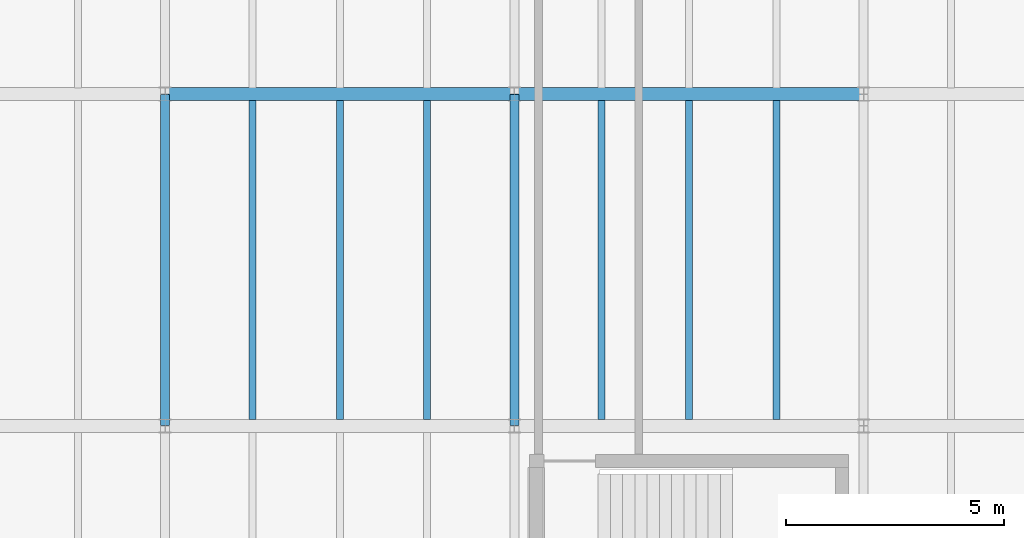
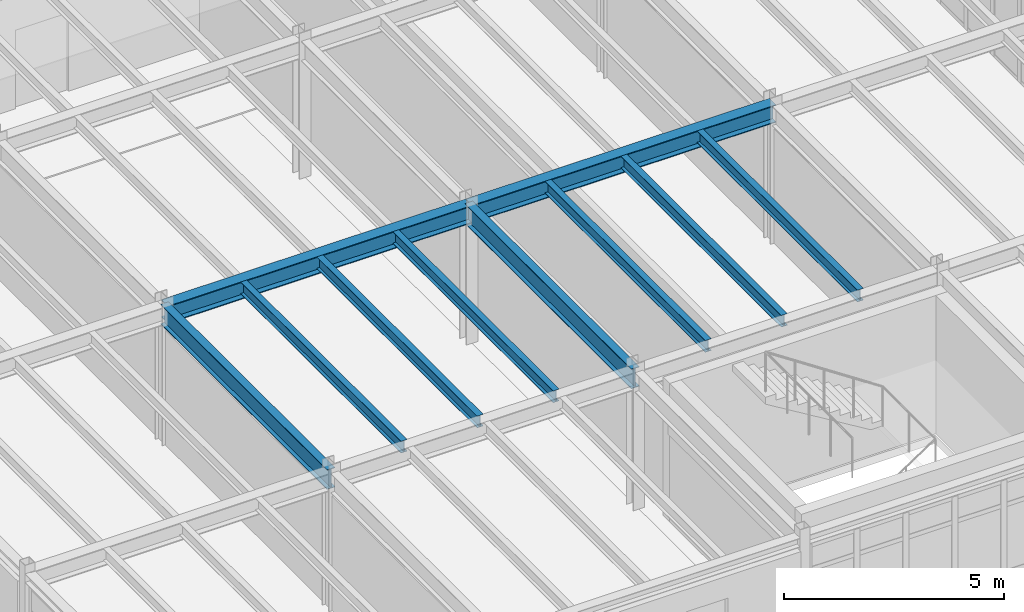
# One storey, part 114 of 189: 10 beams.
"""IFC4 building model written with IfcOpenShell, lengths in metres."""

from ifc_helpers import new_model, si_unit, direction, frame, origin, origin_2d, place, context, subcontext, project, spatial, i_section, extrude, material, material_profile, profile_set, type_object, element, save


model = new_model("IFC4")

# Units and contexts
model_context = context("Model", 3, precision=1e-05, world=origin(), true_north=direction((0.0, 1.0)))
body_context = subcontext(model_context, "Body", "Model", "MODEL_VIEW")
ifc_project = project(units=[si_unit("LENGTHUNIT", "METRE"), si_unit("AREAUNIT", "SQUARE_METRE"), si_unit("VOLUMEUNIT", "CUBIC_METRE"), si_unit("PLANEANGLEUNIT", "RADIAN"), si_unit("MASSUNIT", "GRAM", prefix="KILO")], contexts=[model_context])

# Site, building, storey
site_placement = place(None, origin())
site = spatial("IfcSite", under=ifc_project, at=site_placement, CompositionType="ELEMENT")
building_placement = place(site_placement, origin())
building = spatial("IfcBuilding", under=site, at=building_placement, Name="Montecoro Central Library", CompositionType="ELEMENT")
storey_placement = place(building_placement, frame((0.0, 0.0, 9.179931640625)))
storey = spatial("IfcBuildingStorey", under=building, at=storey_placement, Name="L02", CompositionType="ELEMENT", Elevation=9.179931640625)

# Beams
ifc_material_1 = material(Name="Steel S355J2", Category="steel")
ifc_material_profile_1 = material_profile(ifc_material_1, i_section(OverallWidth=0.300048828125, OverallDepth=0.489990234375, WebThickness=0.011962890625, FlangeThickness=0.02294921875, at=origin_2d()), Name="HEA 500")
ifc_profile_set_1 = profile_set([ifc_material_profile_1], Name="Steel S355J2")
beam_type_1 = type_object("IfcBeamType", Name="BM-G-HEA500", PredefinedType="USERDEFINED", material=ifc_profile_set_1)
for number, where, z_axis, x_axis, name in (
    (1, (149.0048828125, 20.199951171875, 3.580078125), (1.0, 0.0, 0.0), (0.0, 1.0, 0.0), "V6-L02-BX-1920-C"),
    (2, (157.0048828125, 20.199951171875, 3.580078125), (1.0, 0.0, 0.0), (0.0, 1.0, 0.0), "V6-L02-BX-2021-C"),
):
    element("IfcBeam", number, at=place(storey_placement, frame(where, z_axis=z_axis, x_axis=x_axis)), inside=storey, type_object=beam_type_1, Name=name, ObjectType="GIRDER", PredefinedType="USERDEFINED", context=body_context, shape_type="SweptSolid", body=[
        extrude(i_section(OverallWidth=0.300048828125, OverallDepth=0.489990234375, WebThickness=0.011962890625, FlangeThickness=0.02294921875, at=origin_2d()), origin(), (0.0, 0.0, 1.0), 7.990234375),
    ])
ifc_material_profile_2 = material_profile(ifc_material_1, i_section(OverallWidth=0.2099609375, OverallDepth=0.550048828125, WebThickness=0.010986328125, FlangeThickness=0.01708984375, at=origin_2d()), Name="IPE 550")
ifc_profile_set_2 = profile_set([ifc_material_profile_2], Name="Steel S355J2")
beam_type_2 = type_object("IfcBeamType", Name="BM-G-IPE550", PredefinedType="USERDEFINED", material=ifc_profile_set_2)
for number, where, z_axis, x_axis, name in (
    (3, (149.0, 12.60498046875, 3.550048828125), (0.0, 1.0, 0.0), (-1.0, 0.0, 0.0), "V6-L02-BY-19-BC"),
    (4, (157.0, 12.60498046875, 3.550048828125), (0.0, 1.0, 0.0), (-1.0, 0.0, 0.0), "V6-L02-BY-20-BC"),
):
    element("IfcBeam", number, at=place(storey_placement, frame(where, z_axis=z_axis, x_axis=x_axis)), inside=storey, type_object=beam_type_2, Name=name, ObjectType="GIRDER", PredefinedType="USERDEFINED", context=body_context, shape_type="SweptSolid", body=[
        extrude(i_section(OverallWidth=0.2099609375, OverallDepth=0.550048828125, WebThickness=0.010986328125, FlangeThickness=0.01708984375, at=origin_2d()), origin(), (0.0, 0.0, 1.0), 7.590087890625),
    ])
ifc_material_2 = material(Name="Steel S355", Category="steel")
ifc_material_profile_3 = material_profile(ifc_material_2, i_section(OverallWidth=0.159912109375, OverallDepth=0.330078125, WebThickness=0.007568359375, FlangeThickness=0.011474609375, at=origin_2d()), Name="IPE 330")
ifc_profile_set_3 = profile_set([ifc_material_profile_3], Name="Steel S355")
beam_type_3 = type_object("IfcBeamType", Name="BM-J-IPE330", PredefinedType="JOIST", material=ifc_profile_set_3)
for number, where, z_axis, x_axis, name in (
    (5, (151.0, 12.7470703125, 3.66015625), (0.0, 1.0, 0.0), (-1.0, 0.0, 0.0), "V6-L02-JS-1920-BC-1"),
    (6, (153.0, 12.7470703125, 3.66015625), (0.0, 1.0, 0.0), (-1.0, 0.0, 0.0), "V6-L02-JS-1920-BC-2"),
    (7, (155.0, 12.7470703125, 3.66015625), (0.0, 1.0, 0.0), (-1.0, 0.0, 0.0), "V6-L02-JS-1920-BC-3"),
    (8, (159.0, 12.7470703125, 3.66015625), (0.0, 1.0, 0.0), (-1.0, 0.0, 0.0), "V6-L02-JS-2021-BC-1"),
    (9, (161.0, 12.7470703125, 3.66015625), (0.0, 1.0, 0.0), (-1.0, 0.0, 0.0), "V6-L02-JS-2021-BC-2"),
    (10, (163.0, 12.7470703125, 3.66015625), (0.0, 1.0, 0.0), (-1.0, 0.0, 0.0), "V6-L02-JS-2021-BC-3"),
):
    element("IfcBeam", number, at=place(storey_placement, frame(where, z_axis=z_axis, x_axis=x_axis)), inside=storey, type_object=beam_type_3, Name=name, PredefinedType="JOIST", context=body_context, shape_type="SweptSolid", body=[
        extrude(i_section(OverallWidth=0.159912109375, OverallDepth=0.330078125, WebThickness=0.007568359375, FlangeThickness=0.011474609375, at=origin_2d()), origin(), (0.0, 0.0, 1.0), 7.305908203125),
    ])

save(model, "model.ifc")
